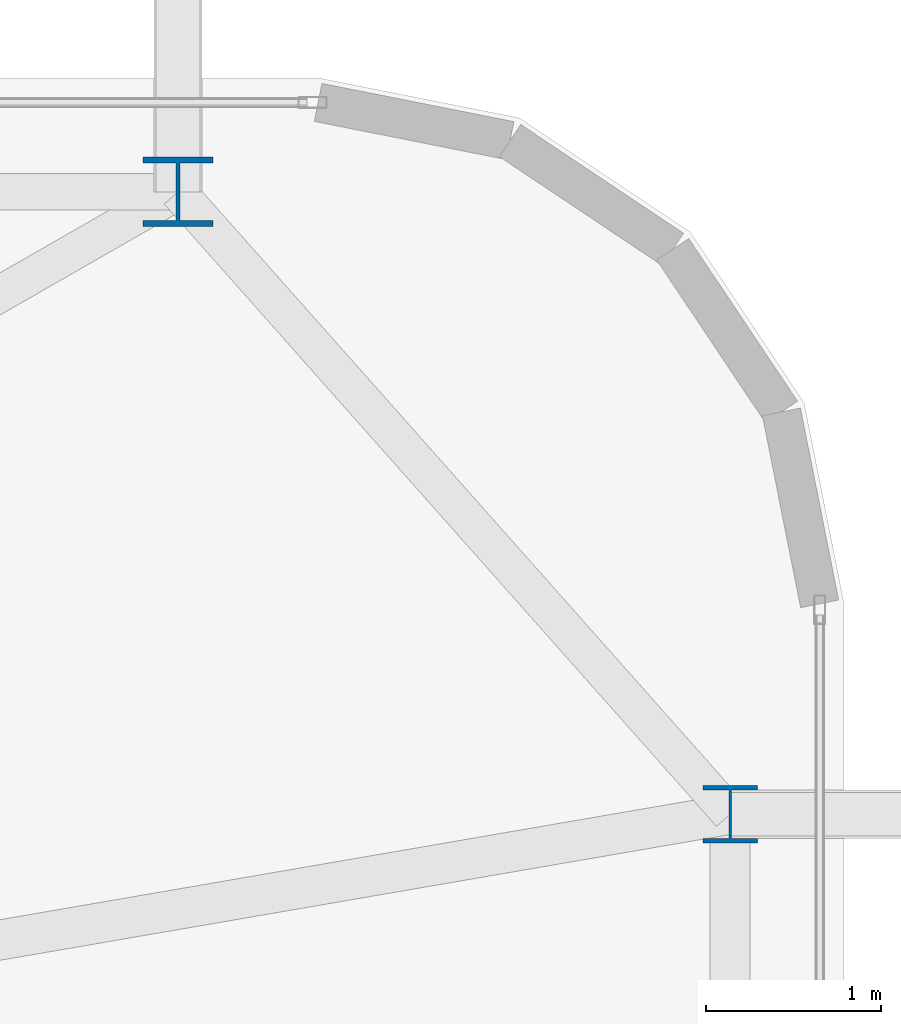
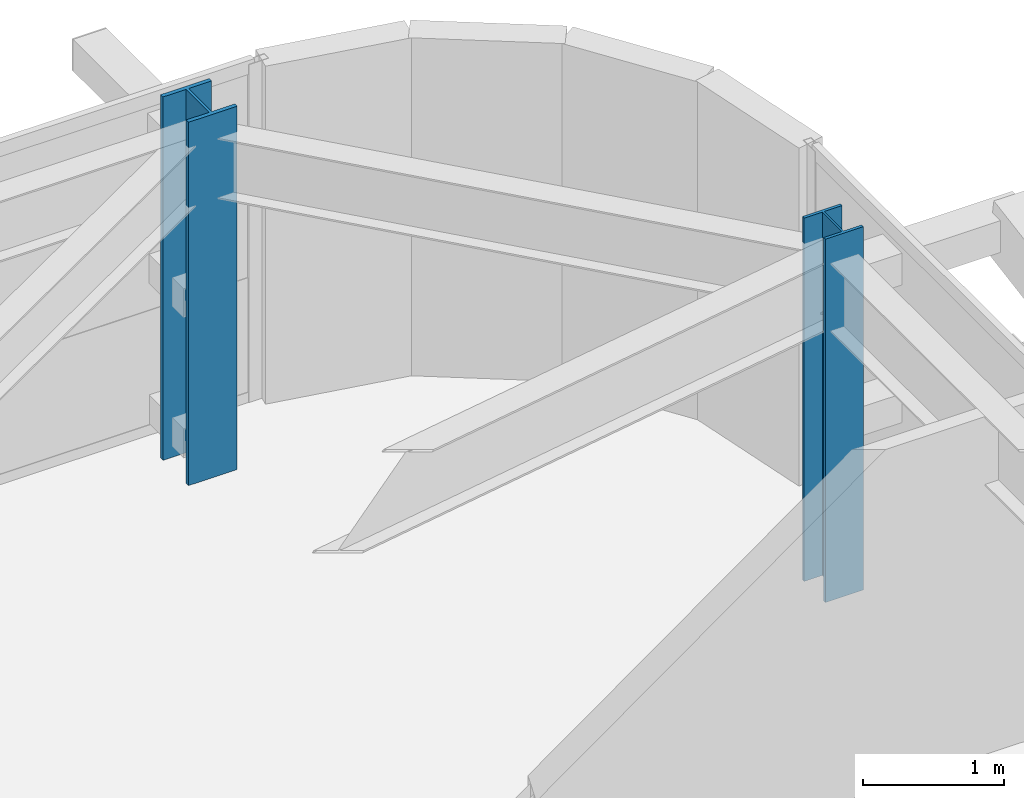
# One storey, part 4 of 58: 2 columns.
"""IFC4 building model written with IfcOpenShell, lengths in metres."""

from ifc_helpers import new_model, si_unit, direction, frame, origin, origin_2d, place, context, subcontext, project, spatial, i_section, extrude, source, transform, mapped, material, material_profile, profile_set, type_object, element, save


model = new_model("IFC4")

# Units and contexts
model_context = context("Model", 3, precision=1e-05, world=origin(), true_north=direction((0.0, 1.0)))
body_context = subcontext(model_context, "Body", "Model", "MODEL_VIEW")
ifc_project = project(units=[si_unit("LENGTHUNIT", "METRE"), si_unit("AREAUNIT", "SQUARE_METRE"), si_unit("VOLUMEUNIT", "CUBIC_METRE"), si_unit("PLANEANGLEUNIT", "RADIAN"), si_unit("MASSUNIT", "GRAM", prefix="KILO")], contexts=[model_context])

# Site, building, storey
site_placement = place(None, origin())
site = spatial("IfcSite", under=ifc_project, at=site_placement, CompositionType="ELEMENT")
building_placement = place(site_placement, origin())
building = spatial("IfcBuilding", under=site, at=building_placement, Name="Taldren Reach Tower", CompositionType="ELEMENT")
storey_placement = place(building_placement, frame((0.0, 0.0, 51.449951171875)))
storey = spatial("IfcBuildingStorey", under=building, at=storey_placement, Name="L15", CompositionType="ELEMENT", Elevation=51.449951171875)

# Columns
ifc_material = material(Name="Steel Gr 350 (350PLUS)", Category="steel")
ifc_material_profile_1 = material_profile(ifc_material, i_section(OverallWidth=0.39990234375, OverallDepth=0.39599609375, WebThickness=0.02197265625, FlangeThickness=0.033935546875, at=origin_2d()), Name="400WC270")
ifc_profile_set_1 = profile_set([ifc_material_profile_1], Name="Steel Gr 350 (350PLUS)")
column_type_1 = type_object("IfcColumnType", Name="COL-WC400", PredefinedType="COLUMN", material=ifc_profile_set_1)
shared_shape_1 = source(origin(), body_context, "Body", "SweptSolid", [
    extrude(i_section(OverallWidth=0.39990234375, OverallDepth=0.39599609375, WebThickness=0.02197265625, FlangeThickness=0.033935546875, at=origin_2d()), origin(), (0.0, 0.0, 1.0), 3.150146484375),
])
column_1_placement = place(storey_placement, frame((61.199951171875, 37.85009765625, 0.0), z_axis=(0.0, 0.0, 1.0), x_axis=(1.0, 0.0, 0.0)))
element("IfcColumn", 1, at=column_1_placement, inside=storey, type_object=column_type_1, Name="Block B1 perimeter column N6 L15", PredefinedType="COLUMN", context=body_context, shape_type="MappedRepresentation", body=[
    mapped(shared_shape_1, transform((0.0, 0.0, 0.0), scale=1.0)),
])
ifc_material_profile_2 = material_profile(ifc_material, i_section(OverallWidth=0.31103515625, OverallDepth=0.326904296875, WebThickness=0.015625, FlangeThickness=0.02490234375, at=origin_2d()), Name="310UC158")
ifc_profile_set_2 = profile_set([ifc_material_profile_2], Name="Steel Gr 350 (350PLUS)")
column_type_2 = type_object("IfcColumnType", Name="COL-UC310A", PredefinedType="COLUMN", material=ifc_profile_set_2)
shared_shape_2 = source(origin(), body_context, "Body", "SweptSolid", [
    extrude(i_section(OverallWidth=0.31103515625, OverallDepth=0.326904296875, WebThickness=0.015625, FlangeThickness=0.02490234375, at=origin_2d()), origin(), (0.0, 0.0, 1.0), 3.150146484375),
])
column_2_placement = place(storey_placement, frame((64.35009765625, 34.300048828125, 0.0), z_axis=(0.0, 0.0, 1.0), x_axis=(1.0, 0.0, 0.0)))
element("IfcColumn", 2, at=column_2_placement, inside=storey, type_object=column_type_2, Name="Block B1 perimeter column E3 L15", PredefinedType="COLUMN", context=body_context, shape_type="MappedRepresentation", body=[
    mapped(shared_shape_2, transform((0.0, 0.0, 0.0), scale=1.0)),
])

save(model, "model.ifc")
